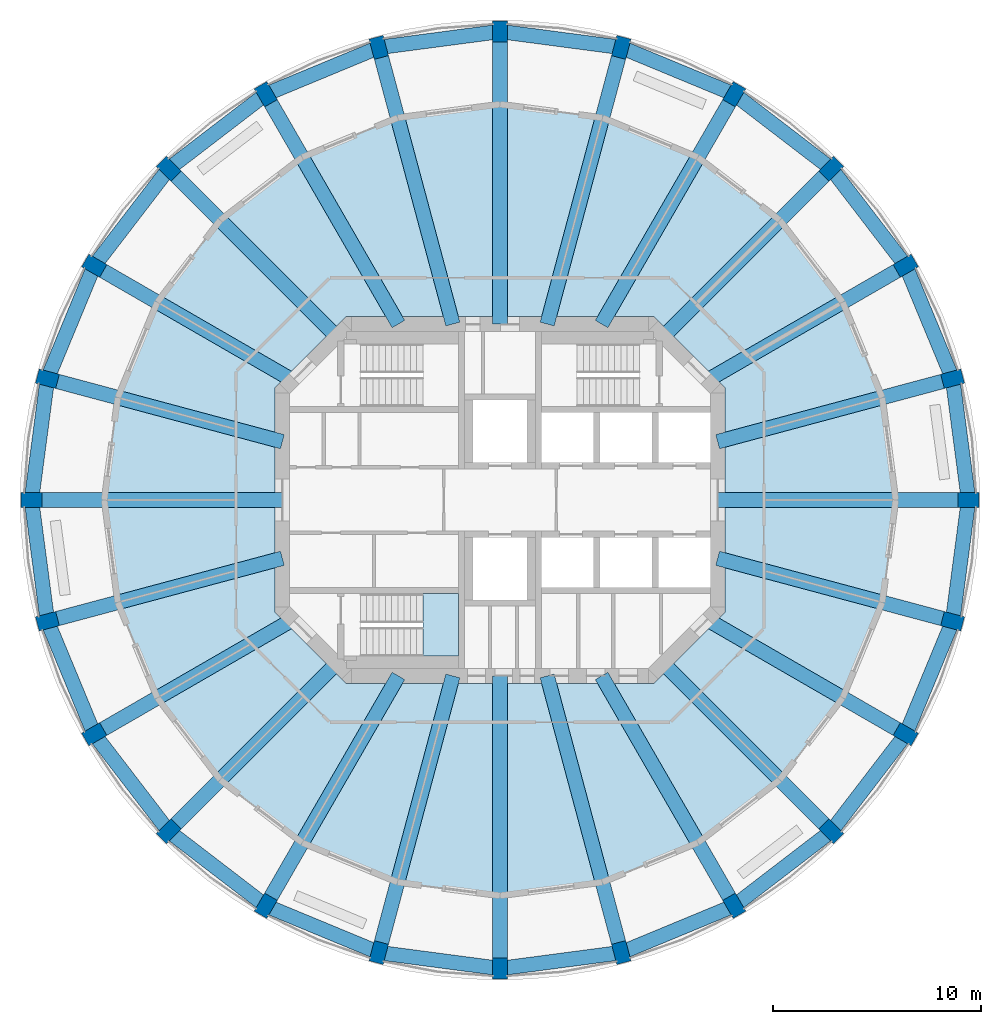
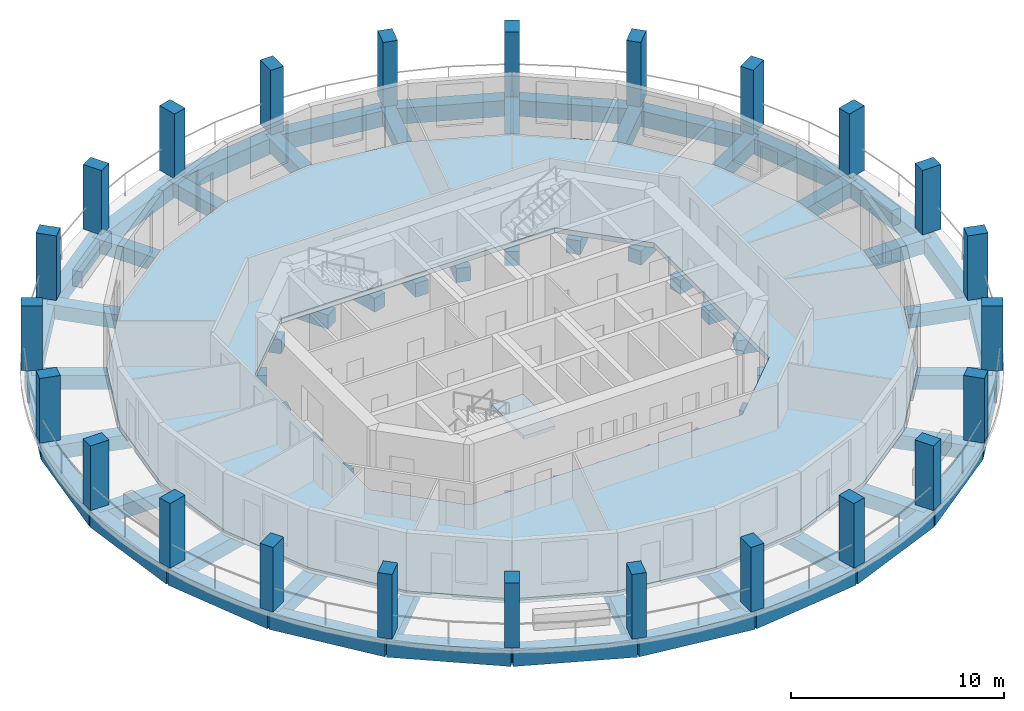
# One storey, part 1 of 9: 48 beams, 24 columns, 2 slabs, 1 element without a shape of its own.
"""IFC4 building model written with IfcOpenShell, lengths in metres."""

from ifc_helpers import new_model, si_unit, direction, frame, origin, origin_2d, place, context, subcontext, project, spatial, polyline, rectangle, outline, extrude, material, layer, layer_set, material_profile, profile_set, type_object, element, aggregate, save


model = new_model("IFC4")

# Units and contexts
model_context = context("Model", 3, precision=1e-05, world=origin(), true_north=direction((0.0, 1.0)))
body_context = subcontext(model_context, "Body", "Model", "MODEL_VIEW")
ifc_project = project(units=[si_unit("LENGTHUNIT", "METRE"), si_unit("AREAUNIT", "SQUARE_METRE"), si_unit("VOLUMEUNIT", "CUBIC_METRE"), si_unit("PLANEANGLEUNIT", "RADIAN"), si_unit("MASSUNIT", "GRAM", prefix="KILO")], contexts=[model_context])

# Site, building, storey
site_placement = place(None, origin())
site = spatial("IfcSite", under=ifc_project, at=site_placement, CompositionType="ELEMENT")
building_placement = place(site_placement, origin())
building = spatial("IfcBuilding", under=site, at=building_placement, Name="Torre Triforio", CompositionType="ELEMENT")
storey_placement = place(building_placement, frame((0.0, 0.0, 165.300048828125)))
storey = spatial("IfcBuildingStorey", under=building, at=storey_placement, Name="L37", CompositionType="ELEMENT", Elevation=165.300048828125)

# Columns
ifc_material_1 = material(Name="Concrete C50", Category="concrete")
ifc_material_profile_1 = material_profile(ifc_material_1, rectangle(XDim=0.699951171875, YDim=1.0, at=origin_2d()), Name="RC 700x1000")
ifc_profile_set_1 = profile_set([ifc_material_profile_1], Name="Concrete C50")
column_type = type_object("IfcColumnType", Name="Pier RC 700x1000 C50", PredefinedType="COLUMN", material=ifc_profile_set_1)
for number, where, z_axis, x_axis, name in (
    (1, (22.5, 0.0, 0.0), (0.0, 0.0, 1.0), (0.0, 1.0, 0.0), "COL.R.L37.00"),
    (2, (21.7333984375, 5.823486328125, 0.0), (0.0, 0.0, 1.0), (-0.258819045103, 0.965925826289, 0.0), "COL.R.L37.01"),
    (3, (19.485595703125, 11.25, 0.0), (0.0, 0.0, 1.0), (-0.5, 0.866025403784, 0.0), "COL.R.L37.02"),
    (4, (15.909912109375, 15.909912109375, 0.0), (0.0, 0.0, 1.0), (-0.707106781187, 0.707106781187, 0.0), "COL.R.L37.03"),
    (5, (11.25, 19.485595703125, 0.0), (0.0, 0.0, 1.0), (-0.866025403784, 0.5, 0.0), "COL.R.L37.04"),
    (6, (5.823486328125, 21.7333984375, 0.0), (0.0, 0.0, 1.0), (-0.965925826289, 0.258819045103, 0.0), "COL.R.L37.05"),
    (7, (0.0, 22.5, 0.0), (0.0, 0.0, 1.0), (-1.0, 0.0, 0.0), "COL.R.L37.06"),
    (8, (-5.823486328125, 21.7333984375, 0.0), (0.0, 0.0, 1.0), (-0.965925826289, -0.258819045103, 0.0), "COL.R.L37.07"),
    (9, (-11.25, 19.485595703125, 0.0), (0.0, 0.0, 1.0), (-0.866025403784, -0.5, 0.0), "COL.R.L37.08"),
    (10, (-15.909912109375, 15.909912109375, 0.0), (0.0, 0.0, 1.0), (-0.707106781187, -0.707106781187, 0.0), "COL.R.L37.09"),
    (11, (-19.485595703125, 11.25, 0.0), (0.0, 0.0, 1.0), (-0.5, -0.866025403784, 0.0), "COL.R.L37.10"),
    (12, (-21.7333984375, 5.823486328125, 0.0), (0.0, 0.0, 1.0), (-0.258819045103, -0.965925826289, 0.0), "COL.R.L37.11"),
    (13, (-22.5, 0.0, 0.0), (0.0, 0.0, 1.0), (0.0, -1.0, 0.0), "COL.R.L37.12"),
    (14, (-21.7333984375, -5.823486328125, 0.0), (0.0, 0.0, 1.0), (0.258819045103, -0.965925826289, 0.0), "COL.R.L37.13"),
    (15, (-19.485595703125, -11.25, 0.0), (0.0, 0.0, 1.0), (0.5, -0.866025403784, 0.0), "COL.R.L37.14"),
    (16, (-15.909912109375, -15.909912109375, 0.0), (0.0, 0.0, 1.0), (0.707106781187, -0.707106781187, 0.0), "COL.R.L37.15"),
    (17, (-11.25, -19.485595703125, 0.0), (0.0, 0.0, 1.0), (0.866025403784, -0.5, 0.0), "COL.R.L37.16"),
    (18, (-5.823486328125, -21.7333984375, 0.0), (0.0, 0.0, 1.0), (0.965925826289, -0.258819045103, 0.0), "COL.R.L37.17"),
    (19, (0.0, -22.5, 0.0), (0.0, 0.0, 1.0), (1.0, 0.0, 0.0), "COL.R.L37.18"),
    (20, (5.823486328125, -21.7333984375, 0.0), (0.0, 0.0, 1.0), (0.965925826289, 0.258819045103, 0.0), "COL.R.L37.19"),
    (21, (11.25, -19.485595703125, 0.0), (0.0, 0.0, 1.0), (0.866025403784, 0.5, 0.0), "COL.R.L37.20"),
    (22, (15.909912109375, -15.909912109375, 0.0), (0.0, 0.0, 1.0), (0.707106781187, 0.707106781187, 0.0), "COL.R.L37.21"),
    (23, (19.485595703125, -11.25, 0.0), (0.0, 0.0, 1.0), (0.5, 0.866025403784, 0.0), "COL.R.L37.22"),
    (24, (21.7333984375, -5.823486328125, 0.0), (0.0, 0.0, 1.0), (0.258819045103, 0.965925826289, 0.0), "COL.R.L37.23"),
):
    element("IfcColumn", number, at=place(storey_placement, frame(where, z_axis=z_axis, x_axis=x_axis)), inside=storey, type_object=column_type, Name=name, PredefinedType="COLUMN", context=body_context, shape_type="SweptSolid", body=[
        extrude(rectangle(XDim=0.699951171875, YDim=1.0, at=origin_2d()), origin(), (0.0, 0.0, 1.0), 3.699951171875),
    ])

# Beams
ifc_material_2 = material(Name="Concrete C40", Category="concrete")
ifc_material_profile_2 = material_profile(ifc_material_2, rectangle(XDim=0.699951171875, YDim=0.800048828125, at=origin_2d()), Name="RC 700x800")
ifc_profile_set_2 = profile_set([ifc_material_profile_2], Name="Concrete C40")
beam_type_1 = type_object("IfcBeamType", Name="Radial beam RC 700x800 C40", PredefinedType="BEAM", material=ifc_profile_set_2)
beam_1_placement = place(storey_placement, frame((10.449951171875, 0.0, -0.679931640625), z_axis=(1.0, 0.0, 0.0), x_axis=(0.0, 1.0, 0.0)))
element("IfcBeam", 25, at=beam_1_placement, inside=storey, type_object=beam_type_1, Name="BM.R.L37.00", PredefinedType="BEAM", context=body_context, shape_type="SweptSolid", body=[
    extrude(rectangle(XDim=0.699951171875, YDim=0.800048828125, at=origin_2d()), origin(), (0.0, 0.0, 1.0), 12.050048828125),
])
beam_2_placement = place(storey_placement, frame((10.449951171875, 2.800048828125, -0.679931640625), z_axis=(0.965924822187, 0.258822792435, 0.0), x_axis=(-0.258822792435, 0.965924822187, 0.0)))
element("IfcBeam", 26, at=beam_2_placement, inside=storey, type_object=beam_type_1, Name="BM.R.L37.01", PredefinedType="BEAM", context=body_context, shape_type="SweptSolid", body=[
    extrude(rectangle(XDim=0.699951171875, YDim=0.800048828125, at=origin_2d()), origin(), (0.0, 0.0, 1.0), 11.681396484375),
])
beam_3_placement = place(storey_placement, frame((9.9501953125, 5.744873046875, -0.679931640625), z_axis=(0.866030871389, 0.499990529712, 0.0), x_axis=(-0.499990529712, 0.866030871389, 0.0)))
element("IfcBeam", 27, at=beam_3_placement, inside=storey, type_object=beam_type_1, Name="BM.R.L37.02", PredefinedType="BEAM", context=body_context, shape_type="SweptSolid", body=[
    extrude(rectangle(XDim=0.699951171875, YDim=0.800048828125, at=origin_2d()), origin(), (0.0, 0.0, 1.0), 11.010498046875),
])
beam_4_placement = place(storey_placement, frame((7.847412109375, 7.847412109375, -0.679931640625), z_axis=(0.707106781187, 0.707106781187, 0.0), x_axis=(-0.707106781187, 0.707106781187, 0.0)))
element("IfcBeam", 28, at=beam_4_placement, inside=storey, type_object=beam_type_1, Name="BM.R.L37.03", PredefinedType="BEAM", context=body_context, shape_type="SweptSolid", body=[
    extrude(rectangle(XDim=0.699951171875, YDim=0.800048828125, at=origin_2d()), origin(), (0.0, 0.0, 1.0), 11.402099609375),
])
beam_5_placement = place(storey_placement, frame((4.878662109375, 8.449951171875, -0.679931640625), z_axis=(0.499994440966, 0.866028613271, 0.0), x_axis=(-0.866028613271, 0.499994440966, 0.0)))
element("IfcBeam", 29, at=beam_5_placement, inside=storey, type_object=beam_type_1, Name="BM.R.L37.04", PredefinedType="BEAM", context=body_context, shape_type="SweptSolid", body=[
    extrude(rectangle(XDim=0.699951171875, YDim=0.800048828125, at=origin_2d()), origin(), (0.0, 0.0, 1.0), 12.742919921875),
])
beam_6_placement = place(storey_placement, frame((2.26416015625, 8.449951171875, -0.679931640625), z_axis=(0.258821569245, 0.965925149944, 0.0), x_axis=(-0.965925149944, 0.258821569245, 0.0)))
element("IfcBeam", 30, at=beam_6_placement, inside=storey, type_object=beam_type_1, Name="BM.R.L37.05", PredefinedType="BEAM", context=body_context, shape_type="SweptSolid", body=[
    extrude(rectangle(XDim=0.699951171875, YDim=0.800048828125, at=origin_2d()), origin(), (0.0, 0.0, 1.0), 13.751953125),
])
beam_7_placement = place(storey_placement, frame((0.0, 8.449951171875, -0.679931640625), z_axis=(0.0, 1.0, 0.0), x_axis=(-1.0, 0.0, 0.0)))
element("IfcBeam", 31, at=beam_7_placement, inside=storey, type_object=beam_type_1, Name="BM.R.L37.06", PredefinedType="BEAM", context=body_context, shape_type="SweptSolid", body=[
    extrude(rectangle(XDim=0.699951171875, YDim=0.800048828125, at=origin_2d()), origin(), (0.0, 0.0, 1.0), 14.050048828125),
])
beam_8_placement = place(storey_placement, frame((-2.26416015625, 8.449951171875, -0.679931640625), z_axis=(-0.258821569245, 0.965925149944, 0.0), x_axis=(-0.965925149944, -0.258821569245, 0.0)))
element("IfcBeam", 32, at=beam_8_placement, inside=storey, type_object=beam_type_1, Name="BM.R.L37.07", PredefinedType="BEAM", context=body_context, shape_type="SweptSolid", body=[
    extrude(rectangle(XDim=0.699951171875, YDim=0.800048828125, at=origin_2d()), origin(), (0.0, 0.0, 1.0), 13.751953125),
])
beam_9_placement = place(storey_placement, frame((-4.878662109375, 8.449951171875, -0.679931640625), z_axis=(-0.499994440966, 0.866028613271, 0.0), x_axis=(-0.866028613271, -0.499994440966, 0.0)))
element("IfcBeam", 33, at=beam_9_placement, inside=storey, type_object=beam_type_1, Name="BM.R.L37.08", PredefinedType="BEAM", context=body_context, shape_type="SweptSolid", body=[
    extrude(rectangle(XDim=0.699951171875, YDim=0.800048828125, at=origin_2d()), origin(), (0.0, 0.0, 1.0), 12.742919921875),
])
beam_10_placement = place(storey_placement, frame((-7.847412109375, 7.847412109375, -0.679931640625), z_axis=(-0.707106781187, 0.707106781187, 0.0), x_axis=(-0.707106781187, -0.707106781187, 0.0)))
element("IfcBeam", 34, at=beam_10_placement, inside=storey, type_object=beam_type_1, Name="BM.R.L37.09", PredefinedType="BEAM", context=body_context, shape_type="SweptSolid", body=[
    extrude(rectangle(XDim=0.699951171875, YDim=0.800048828125, at=origin_2d()), origin(), (0.0, 0.0, 1.0), 11.402099609375),
])
beam_11_placement = place(storey_placement, frame((-9.9501953125, 5.744873046875, -0.679931640625), z_axis=(-0.866030871389, 0.499990529712, 0.0), x_axis=(-0.499990529712, -0.866030871389, 0.0)))
element("IfcBeam", 35, at=beam_11_placement, inside=storey, type_object=beam_type_1, Name="BM.R.L37.10", PredefinedType="BEAM", context=body_context, shape_type="SweptSolid", body=[
    extrude(rectangle(XDim=0.699951171875, YDim=0.800048828125, at=origin_2d()), origin(), (0.0, 0.0, 1.0), 11.010498046875),
])
beam_12_placement = place(storey_placement, frame((-10.449951171875, 2.800048828125, -0.679931640625), z_axis=(-0.965924822187, 0.258822792435, 0.0), x_axis=(-0.258822792435, -0.965924822187, 0.0)))
element("IfcBeam", 36, at=beam_12_placement, inside=storey, type_object=beam_type_1, Name="BM.R.L37.11", PredefinedType="BEAM", context=body_context, shape_type="SweptSolid", body=[
    extrude(rectangle(XDim=0.699951171875, YDim=0.800048828125, at=origin_2d()), origin(), (0.0, 0.0, 1.0), 11.681396484375),
])
beam_13_placement = place(storey_placement, frame((-10.449951171875, 0.0, -0.679931640625), z_axis=(-1.0, 0.0, 0.0), x_axis=(0.0, -1.0, 0.0)))
element("IfcBeam", 37, at=beam_13_placement, inside=storey, type_object=beam_type_1, Name="BM.R.L37.12", PredefinedType="BEAM", context=body_context, shape_type="SweptSolid", body=[
    extrude(rectangle(XDim=0.699951171875, YDim=0.800048828125, at=origin_2d()), origin(), (0.0, 0.0, 1.0), 12.050048828125),
])
beam_14_placement = place(storey_placement, frame((-10.449951171875, -2.800048828125, -0.679931640625), z_axis=(-0.965924822187, -0.258822792435, 0.0), x_axis=(0.258822792435, -0.965924822187, 0.0)))
element("IfcBeam", 38, at=beam_14_placement, inside=storey, type_object=beam_type_1, Name="BM.R.L37.13", PredefinedType="BEAM", context=body_context, shape_type="SweptSolid", body=[
    extrude(rectangle(XDim=0.699951171875, YDim=0.800048828125, at=origin_2d()), origin(), (0.0, 0.0, 1.0), 11.681396484375),
])
beam_15_placement = place(storey_placement, frame((-9.9501953125, -5.744873046875, -0.679931640625), z_axis=(-0.866030871389, -0.499990529712, 0.0), x_axis=(0.499990529712, -0.866030871389, 0.0)))
element("IfcBeam", 39, at=beam_15_placement, inside=storey, type_object=beam_type_1, Name="BM.R.L37.14", PredefinedType="BEAM", context=body_context, shape_type="SweptSolid", body=[
    extrude(rectangle(XDim=0.699951171875, YDim=0.800048828125, at=origin_2d()), origin(), (0.0, 0.0, 1.0), 11.010498046875),
])
beam_16_placement = place(storey_placement, frame((-7.847412109375, -7.847412109375, -0.679931640625), z_axis=(-0.707106781187, -0.707106781187, 0.0), x_axis=(0.707106781187, -0.707106781187, 0.0)))
element("IfcBeam", 40, at=beam_16_placement, inside=storey, type_object=beam_type_1, Name="BM.R.L37.15", PredefinedType="BEAM", context=body_context, shape_type="SweptSolid", body=[
    extrude(rectangle(XDim=0.699951171875, YDim=0.800048828125, at=origin_2d()), origin(), (0.0, 0.0, 1.0), 11.402099609375),
])
beam_17_placement = place(storey_placement, frame((-4.878662109375, -8.449951171875, -0.679931640625), z_axis=(-0.499994440966, -0.866028613271, 0.0), x_axis=(0.866028613271, -0.499994440966, 0.0)))
element("IfcBeam", 41, at=beam_17_placement, inside=storey, type_object=beam_type_1, Name="BM.R.L37.16", PredefinedType="BEAM", context=body_context, shape_type="SweptSolid", body=[
    extrude(rectangle(XDim=0.699951171875, YDim=0.800048828125, at=origin_2d()), origin(), (0.0, 0.0, 1.0), 12.742919921875),
])
beam_18_placement = place(storey_placement, frame((-2.26416015625, -8.449951171875, -0.679931640625), z_axis=(-0.258821569245, -0.965925149944, 0.0), x_axis=(0.965925149944, -0.258821569245, 0.0)))
element("IfcBeam", 42, at=beam_18_placement, inside=storey, type_object=beam_type_1, Name="BM.R.L37.17", PredefinedType="BEAM", context=body_context, shape_type="SweptSolid", body=[
    extrude(rectangle(XDim=0.699951171875, YDim=0.800048828125, at=origin_2d()), origin(), (0.0, 0.0, 1.0), 13.751953125),
])
beam_19_placement = place(storey_placement, frame((0.0, -8.449951171875, -0.679931640625), z_axis=(0.0, -1.0, 0.0), x_axis=(1.0, 0.0, 0.0)))
element("IfcBeam", 43, at=beam_19_placement, inside=storey, type_object=beam_type_1, Name="BM.R.L37.18", PredefinedType="BEAM", context=body_context, shape_type="SweptSolid", body=[
    extrude(rectangle(XDim=0.699951171875, YDim=0.800048828125, at=origin_2d()), origin(), (0.0, 0.0, 1.0), 14.050048828125),
])
beam_20_placement = place(storey_placement, frame((2.26416015625, -8.449951171875, -0.679931640625), z_axis=(0.258821569245, -0.965925149944, 0.0), x_axis=(0.965925149944, 0.258821569245, 0.0)))
element("IfcBeam", 44, at=beam_20_placement, inside=storey, type_object=beam_type_1, Name="BM.R.L37.19", PredefinedType="BEAM", context=body_context, shape_type="SweptSolid", body=[
    extrude(rectangle(XDim=0.699951171875, YDim=0.800048828125, at=origin_2d()), origin(), (0.0, 0.0, 1.0), 13.751953125),
])
beam_21_placement = place(storey_placement, frame((4.878662109375, -8.449951171875, -0.679931640625), z_axis=(0.499994440966, -0.866028613271, 0.0), x_axis=(0.866028613271, 0.499994440966, 0.0)))
element("IfcBeam", 45, at=beam_21_placement, inside=storey, type_object=beam_type_1, Name="BM.R.L37.20", PredefinedType="BEAM", context=body_context, shape_type="SweptSolid", body=[
    extrude(rectangle(XDim=0.699951171875, YDim=0.800048828125, at=origin_2d()), origin(), (0.0, 0.0, 1.0), 12.742919921875),
])
beam_22_placement = place(storey_placement, frame((7.847412109375, -7.847412109375, -0.679931640625), z_axis=(0.707106781187, -0.707106781187, 0.0), x_axis=(0.707106781187, 0.707106781187, 0.0)))
element("IfcBeam", 46, at=beam_22_placement, inside=storey, type_object=beam_type_1, Name="BM.R.L37.21", PredefinedType="BEAM", context=body_context, shape_type="SweptSolid", body=[
    extrude(rectangle(XDim=0.699951171875, YDim=0.800048828125, at=origin_2d()), origin(), (0.0, 0.0, 1.0), 11.402099609375),
])
beam_23_placement = place(storey_placement, frame((9.9501953125, -5.744873046875, -0.679931640625), z_axis=(0.866030871389, -0.499990529712, 0.0), x_axis=(0.499990529712, 0.866030871389, 0.0)))
element("IfcBeam", 47, at=beam_23_placement, inside=storey, type_object=beam_type_1, Name="BM.R.L37.22", PredefinedType="BEAM", context=body_context, shape_type="SweptSolid", body=[
    extrude(rectangle(XDim=0.699951171875, YDim=0.800048828125, at=origin_2d()), origin(), (0.0, 0.0, 1.0), 11.010498046875),
])
beam_24_placement = place(storey_placement, frame((10.449951171875, -2.800048828125, -0.679931640625), z_axis=(0.965924822187, -0.258822792435, 0.0), x_axis=(0.258822792435, 0.965924822187, 0.0)))
element("IfcBeam", 48, at=beam_24_placement, inside=storey, type_object=beam_type_1, Name="BM.R.L37.23", PredefinedType="BEAM", context=body_context, shape_type="SweptSolid", body=[
    extrude(rectangle(XDim=0.699951171875, YDim=0.800048828125, at=origin_2d()), origin(), (0.0, 0.0, 1.0), 11.681396484375),
])
ifc_material_profile_3 = material_profile(ifc_material_2, rectangle(XDim=0.699951171875, YDim=0.89990234375, at=origin_2d()), Name="RC 700x900")
ifc_profile_set_3 = profile_set([ifc_material_profile_3], Name="Concrete C40")
beam_type_2 = type_object("IfcBeamType", Name="Spandrel beam RC 700x900 C40", PredefinedType="SPANDREL", material=ifc_profile_set_3)
beam_25_placement = place(storey_placement, frame((22.5, 0.0, -0.72998046875), z_axis=(-0.13051364818, 0.991446512747, 0.0), x_axis=(-0.991446512747, -0.13051364818, 0.0)))
element("IfcBeam", 49, at=beam_25_placement, inside=storey, type_object=beam_type_2, Name="BM.S.L37.00", PredefinedType="SPANDREL", context=body_context, shape_type="SweptSolid", body=[
    extrude(rectangle(XDim=0.699951171875, YDim=0.89990234375, at=origin_2d()), origin(), (0.0, 0.0, 1.0), 5.873779296875),
])
beam_26_placement = place(storey_placement, frame((21.7333984375, 5.823486328125, -0.72998046875), z_axis=(-0.382693194178, 0.923875488976, 0.0), x_axis=(-0.923875488976, -0.382693194178, 0.0)))
element("IfcBeam", 50, at=beam_26_placement, inside=storey, type_object=beam_type_2, Name="BM.S.L37.01", PredefinedType="SPANDREL", context=body_context, shape_type="SweptSolid", body=[
    extrude(rectangle(XDim=0.699951171875, YDim=0.89990234375, at=origin_2d()), origin(), (0.0, 0.0, 1.0), 5.87353515625),
])
for number, where, z_axis, x_axis, name in (
    (51, (19.485595703125, 11.25, -0.72998046875), (-0.608762208108, 0.793352742466, 0.0), (-0.793352742466, -0.608762208108, 0.0), "BM.S.L37.02"),
    (52, (15.909912109375, 15.909912109375, -0.72998046875), (-0.793352742466, 0.608762208108, 0.0), (-0.608762208108, -0.793352742466, 0.0), "BM.S.L37.03"),
):
    element("IfcBeam", number, at=place(storey_placement, frame(where, z_axis=z_axis, x_axis=x_axis)), inside=storey, type_object=beam_type_2, Name=name, PredefinedType="SPANDREL", context=body_context, shape_type="SweptSolid", body=[
        extrude(rectangle(XDim=0.699951171875, YDim=0.89990234375, at=origin_2d()), origin(), (0.0, 0.0, 1.0), 5.873779296875),
    ])
beam_27_placement = place(storey_placement, frame((11.25, 19.485595703125, -0.72998046875), z_axis=(-0.923875488976, 0.382693194178, 0.0), x_axis=(-0.382693194178, -0.923875488976, 0.0)))
element("IfcBeam", 53, at=beam_27_placement, inside=storey, type_object=beam_type_2, Name="BM.S.L37.04", PredefinedType="SPANDREL", context=body_context, shape_type="SweptSolid", body=[
    extrude(rectangle(XDim=0.699951171875, YDim=0.89990234375, at=origin_2d()), origin(), (0.0, 0.0, 1.0), 5.87353515625),
])
for number, where, z_axis, x_axis, name in (
    (54, (5.823486328125, 21.7333984375, -0.72998046875), (-0.991446512747, 0.13051364818, 0.0), (-0.13051364818, -0.991446512747, 0.0), "BM.S.L37.05"),
    (55, (0.0, 22.5, -0.72998046875), (-0.991446512747, -0.13051364818, 0.0), (0.13051364818, -0.991446512747, 0.0), "BM.S.L37.06"),
):
    element("IfcBeam", number, at=place(storey_placement, frame(where, z_axis=z_axis, x_axis=x_axis)), inside=storey, type_object=beam_type_2, Name=name, PredefinedType="SPANDREL", context=body_context, shape_type="SweptSolid", body=[
        extrude(rectangle(XDim=0.699951171875, YDim=0.89990234375, at=origin_2d()), origin(), (0.0, 0.0, 1.0), 5.873779296875),
    ])
beam_28_placement = place(storey_placement, frame((-5.823486328125, 21.7333984375, -0.72998046875), z_axis=(-0.923875488976, -0.382693194178, 0.0), x_axis=(0.382693194178, -0.923875488976, 0.0)))
element("IfcBeam", 56, at=beam_28_placement, inside=storey, type_object=beam_type_2, Name="BM.S.L37.07", PredefinedType="SPANDREL", context=body_context, shape_type="SweptSolid", body=[
    extrude(rectangle(XDim=0.699951171875, YDim=0.89990234375, at=origin_2d()), origin(), (0.0, 0.0, 1.0), 5.87353515625),
])
for number, where, z_axis, x_axis, name in (
    (57, (-11.25, 19.485595703125, -0.72998046875), (-0.793352742466, -0.608762208108, 0.0), (0.608762208108, -0.793352742466, 0.0), "BM.S.L37.08"),
    (58, (-15.909912109375, 15.909912109375, -0.72998046875), (-0.608762208108, -0.793352742466, 0.0), (0.793352742466, -0.608762208108, 0.0), "BM.S.L37.09"),
):
    element("IfcBeam", number, at=place(storey_placement, frame(where, z_axis=z_axis, x_axis=x_axis)), inside=storey, type_object=beam_type_2, Name=name, PredefinedType="SPANDREL", context=body_context, shape_type="SweptSolid", body=[
        extrude(rectangle(XDim=0.699951171875, YDim=0.89990234375, at=origin_2d()), origin(), (0.0, 0.0, 1.0), 5.873779296875),
    ])
beam_29_placement = place(storey_placement, frame((-19.485595703125, 11.25, -0.72998046875), z_axis=(-0.382693194178, -0.923875488976, 0.0), x_axis=(0.923875488976, -0.382693194178, 0.0)))
element("IfcBeam", 59, at=beam_29_placement, inside=storey, type_object=beam_type_2, Name="BM.S.L37.10", PredefinedType="SPANDREL", context=body_context, shape_type="SweptSolid", body=[
    extrude(rectangle(XDim=0.699951171875, YDim=0.89990234375, at=origin_2d()), origin(), (0.0, 0.0, 1.0), 5.87353515625),
])
for number, where, z_axis, x_axis, name in (
    (60, (-21.7333984375, 5.823486328125, -0.72998046875), (-0.13051364818, -0.991446512747, 0.0), (0.991446512747, -0.13051364818, 0.0), "BM.S.L37.11"),
    (61, (-22.5, 0.0, -0.72998046875), (0.13051364818, -0.991446512747, 0.0), (0.991446512747, 0.13051364818, 0.0), "BM.S.L37.12"),
):
    element("IfcBeam", number, at=place(storey_placement, frame(where, z_axis=z_axis, x_axis=x_axis)), inside=storey, type_object=beam_type_2, Name=name, PredefinedType="SPANDREL", context=body_context, shape_type="SweptSolid", body=[
        extrude(rectangle(XDim=0.699951171875, YDim=0.89990234375, at=origin_2d()), origin(), (0.0, 0.0, 1.0), 5.873779296875),
    ])
beam_30_placement = place(storey_placement, frame((-21.7333984375, -5.823486328125, -0.72998046875), z_axis=(0.382693194178, -0.923875488976, 0.0), x_axis=(0.923875488976, 0.382693194178, 0.0)))
element("IfcBeam", 62, at=beam_30_placement, inside=storey, type_object=beam_type_2, Name="BM.S.L37.13", PredefinedType="SPANDREL", context=body_context, shape_type="SweptSolid", body=[
    extrude(rectangle(XDim=0.699951171875, YDim=0.89990234375, at=origin_2d()), origin(), (0.0, 0.0, 1.0), 5.87353515625),
])
for number, where, z_axis, x_axis, name in (
    (63, (-19.485595703125, -11.25, -0.72998046875), (0.608762208108, -0.793352742466, 0.0), (0.793352742466, 0.608762208108, 0.0), "BM.S.L37.14"),
    (64, (-15.909912109375, -15.909912109375, -0.72998046875), (0.793352742466, -0.608762208108, 0.0), (0.608762208108, 0.793352742466, 0.0), "BM.S.L37.15"),
):
    element("IfcBeam", number, at=place(storey_placement, frame(where, z_axis=z_axis, x_axis=x_axis)), inside=storey, type_object=beam_type_2, Name=name, PredefinedType="SPANDREL", context=body_context, shape_type="SweptSolid", body=[
        extrude(rectangle(XDim=0.699951171875, YDim=0.89990234375, at=origin_2d()), origin(), (0.0, 0.0, 1.0), 5.873779296875),
    ])
beam_31_placement = place(storey_placement, frame((-11.25, -19.485595703125, -0.72998046875), z_axis=(0.923875488976, -0.382693194178, 0.0), x_axis=(0.382693194178, 0.923875488976, 0.0)))
element("IfcBeam", 65, at=beam_31_placement, inside=storey, type_object=beam_type_2, Name="BM.S.L37.16", PredefinedType="SPANDREL", context=body_context, shape_type="SweptSolid", body=[
    extrude(rectangle(XDim=0.699951171875, YDim=0.89990234375, at=origin_2d()), origin(), (0.0, 0.0, 1.0), 5.87353515625),
])
for number, where, z_axis, x_axis, name in (
    (66, (-5.823486328125, -21.7333984375, -0.72998046875), (0.991446512747, -0.13051364818, 0.0), (0.13051364818, 0.991446512747, 0.0), "BM.S.L37.17"),
    (67, (0.0, -22.5, -0.72998046875), (0.991446512747, 0.13051364818, 0.0), (-0.13051364818, 0.991446512747, 0.0), "BM.S.L37.18"),
):
    element("IfcBeam", number, at=place(storey_placement, frame(where, z_axis=z_axis, x_axis=x_axis)), inside=storey, type_object=beam_type_2, Name=name, PredefinedType="SPANDREL", context=body_context, shape_type="SweptSolid", body=[
        extrude(rectangle(XDim=0.699951171875, YDim=0.89990234375, at=origin_2d()), origin(), (0.0, 0.0, 1.0), 5.873779296875),
    ])
beam_32_placement = place(storey_placement, frame((5.823486328125, -21.7333984375, -0.72998046875), z_axis=(0.923875488976, 0.382693194178, 0.0), x_axis=(-0.382693194178, 0.923875488976, 0.0)))
element("IfcBeam", 68, at=beam_32_placement, inside=storey, type_object=beam_type_2, Name="BM.S.L37.19", PredefinedType="SPANDREL", context=body_context, shape_type="SweptSolid", body=[
    extrude(rectangle(XDim=0.699951171875, YDim=0.89990234375, at=origin_2d()), origin(), (0.0, 0.0, 1.0), 5.87353515625),
])
for number, where, z_axis, x_axis, name in (
    (69, (11.25, -19.485595703125, -0.72998046875), (0.793352742466, 0.608762208108, 0.0), (-0.608762208108, 0.793352742466, 0.0), "BM.S.L37.20"),
    (70, (15.909912109375, -15.909912109375, -0.72998046875), (0.608762208108, 0.793352742466, 0.0), (-0.793352742466, 0.608762208108, 0.0), "BM.S.L37.21"),
):
    element("IfcBeam", number, at=place(storey_placement, frame(where, z_axis=z_axis, x_axis=x_axis)), inside=storey, type_object=beam_type_2, Name=name, PredefinedType="SPANDREL", context=body_context, shape_type="SweptSolid", body=[
        extrude(rectangle(XDim=0.699951171875, YDim=0.89990234375, at=origin_2d()), origin(), (0.0, 0.0, 1.0), 5.873779296875),
    ])
beam_33_placement = place(storey_placement, frame((19.485595703125, -11.25, -0.72998046875), z_axis=(0.382693194178, 0.923875488976, 0.0), x_axis=(-0.923875488976, 0.382693194178, 0.0)))
element("IfcBeam", 71, at=beam_33_placement, inside=storey, type_object=beam_type_2, Name="BM.S.L37.22", PredefinedType="SPANDREL", context=body_context, shape_type="SweptSolid", body=[
    extrude(rectangle(XDim=0.699951171875, YDim=0.89990234375, at=origin_2d()), origin(), (0.0, 0.0, 1.0), 5.87353515625),
])
beam_34_placement = place(storey_placement, frame((21.7333984375, -5.823486328125, -0.72998046875), z_axis=(0.13051364818, 0.991446512747, 0.0), x_axis=(-0.991446512747, 0.13051364818, 0.0)))
element("IfcBeam", 72, at=beam_34_placement, inside=storey, type_object=beam_type_2, Name="BM.S.L37.23", PredefinedType="SPANDREL", context=body_context, shape_type="SweptSolid", body=[
    extrude(rectangle(XDim=0.699951171875, YDim=0.89990234375, at=origin_2d()), origin(), (0.0, 0.0, 1.0), 5.873779296875),
])

# Slab
ifc_layer_1 = layer(ifc_material_2, 0.280029296875)
ifc_layer_set_1 = layer_set([ifc_layer_1], Name="Concrete C40")
slab_type_1 = type_object("IfcSlabType", Name="Floor slab 280 C40", PredefinedType="FLOOR", material=ifc_layer_set_1)
slab_1_placement = place(storey_placement, frame((0.0, 0.0, -0.280029296875)))
element("IfcSlab", 73, at=slab_1_placement, inside=storey, type_object=slab_type_1, Name="SL.L37", PredefinedType="FLOOR", context=body_context, shape_type="SweptSolid", body=[
    extrude(outline(polyline([(16.45458984375, -9.5), (18.3525390625, -4.91748046875), (19.0, 0.0), (18.3525390625, 4.91748046875), (16.45458984375, 9.5), (13.43505859375, 13.43505859375), (9.5, 16.45458984375), (4.91748046875, 18.3525390625), (0.0, 19.0), (-4.91748046875, 18.3525390625), (-9.5, 16.45458984375), (-13.43505859375, 13.43505859375), (-16.45458984375, 9.5), (-18.3525390625, 4.91748046875), (-19.0, 0.0), (-18.3525390625, -4.91748046875), (-16.45458984375, -9.5), (-13.43505859375, -13.43505859375), (-9.5, -16.45458984375), (-4.91748046875, -18.3525390625), (0.0, -19.0), (4.91748046875, -18.3525390625), (9.5, -16.45458984375), (13.43505859375, -13.43505859375), (16.45458984375, -9.5)]), holes=[polyline([(10.800048828125, 5.389892578125), (10.800048828125, -5.389892578125), (7.389892578125, -8.800048828125), (-7.389892578125, -8.800048828125), (-10.800048828125, -5.389892578125), (-10.800048828125, 5.389892578125), (-7.389892578125, 8.800048828125), (7.389892578125, 8.800048828125), (10.800048828125, 5.389892578125)])]), origin(), (0.0, 0.0, 1.0), 0.280029296875),
])

# Stair, slab
stair_type = type_object("IfcStairType", Name="STAIR HALF-TURN", PredefinedType="HALF_TURN_STAIR", material=ifc_material_2)
stair_placement = place(storey_placement, origin())
stair = element("IfcStair", 74, at=stair_placement, inside=storey, type_object=stair_type, Name="Exit stair 3", PredefinedType="HALF_TURN_STAIR")
ifc_layer_2 = layer(ifc_material_2, 0.199951171875)
ifc_layer_set_2 = layer_set([ifc_layer_2], Name="Concrete C40")
slab_type_2 = type_object("IfcSlabType", Name="STAIR LANDING 200", PredefinedType="LANDING", material=ifc_layer_set_2)
slab_2_placement = place(storey_placement, frame((0.0, 0.0, 1.64990234375)))
slab_2 = element("IfcSlab", 75, at=slab_2_placement, type_object=slab_type_2, Name="ST3 landing 1", PredefinedType="LANDING", context=body_context, shape_type="SweptSolid", body=[
    extrude(outline(polyline([(-2.0, -7.5), (-2.0, -4.5), (-3.699951171875, -4.5), (-3.699951171875, -7.5), (-2.0, -7.5)])), origin(), (0.0, 0.0, 1.0), 0.199951171875),
])
aggregate(stair, [slab_2])

save(model, "model.ifc")
